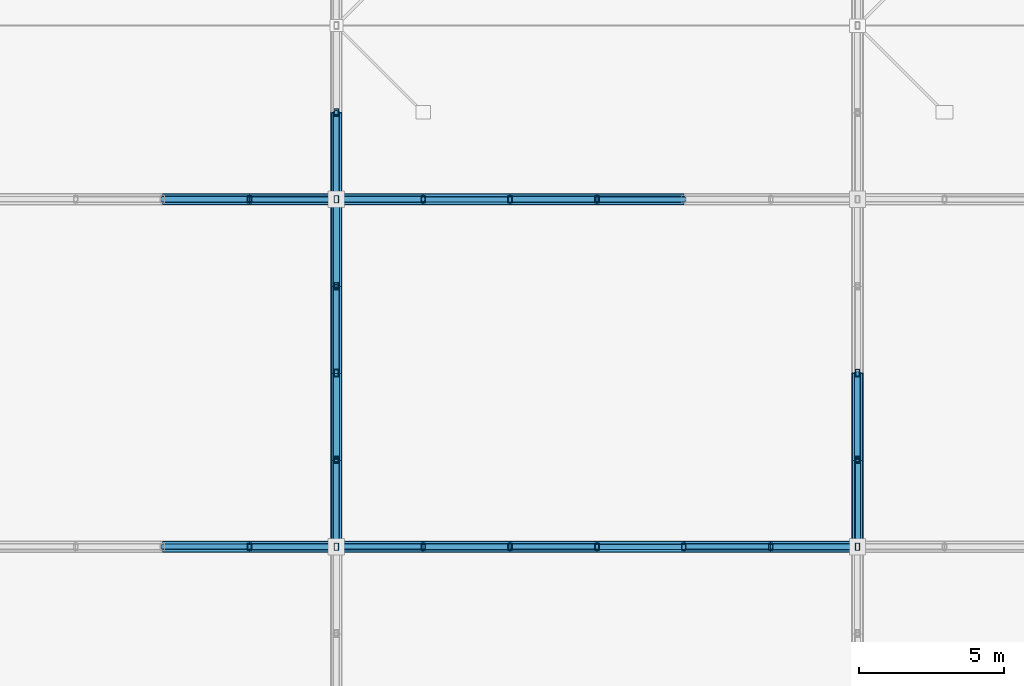
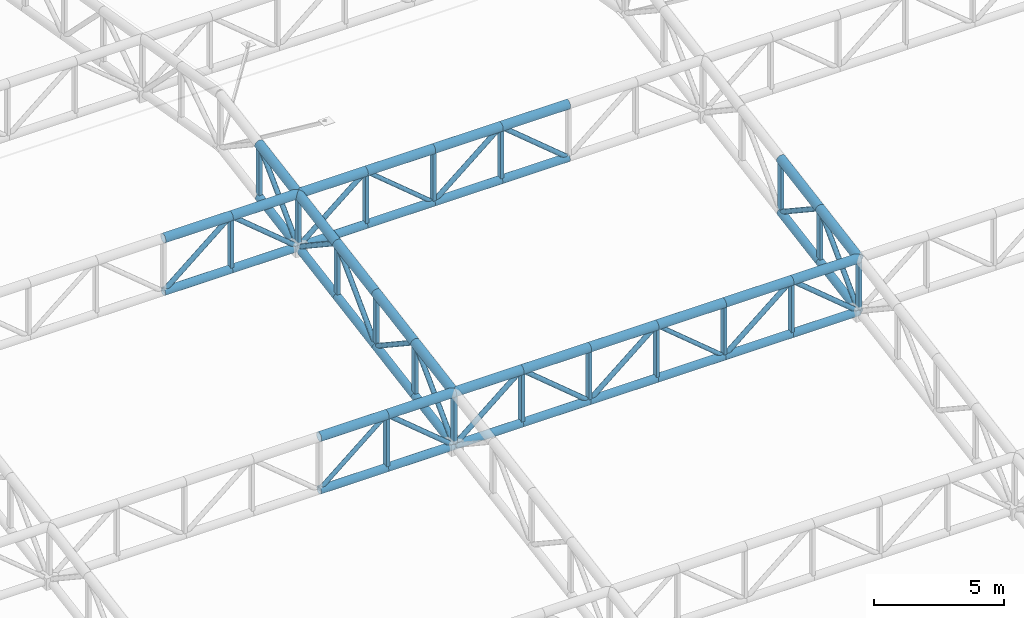
# One storey, part 91 of 239: 82 members.
"""IFC4 building model written with IfcOpenShell, lengths in metres."""

from ifc_helpers import new_model, si_unit, direction, frame, origin, origin_2d, place, context, subcontext, project, spatial, hollow_rectangle, hollow_circle, extrude, material, material_profile, profile_set, type_object, element, save


model = new_model("IFC4")

# Units and contexts
model_context = context("Model", 3, precision=1e-05, world=origin(), true_north=direction((0.0, 1.0)))
body_context = subcontext(model_context, "Body", "Model", "MODEL_VIEW")
ifc_project = project(units=[si_unit("LENGTHUNIT", "METRE"), si_unit("AREAUNIT", "SQUARE_METRE"), si_unit("VOLUMEUNIT", "CUBIC_METRE"), si_unit("PLANEANGLEUNIT", "RADIAN"), si_unit("MASSUNIT", "GRAM", prefix="KILO")], contexts=[model_context])

# Site, building, storey
site_placement = place(None, origin())
site = spatial("IfcSite", under=ifc_project, at=site_placement, CompositionType="ELEMENT")
building_placement = place(site_placement, origin())
building = spatial("IfcBuilding", under=site, at=building_placement, Name="Kaldris Quays Convention Centre", CompositionType="ELEMENT")
storey_placement = place(building_placement, frame((0.0, 0.0, 11.39990234375)))
storey = spatial("IfcBuildingStorey", under=building, at=storey_placement, Name="L02", CompositionType="ELEMENT", Elevation=11.39990234375)

# Members
ifc_material = material(Name="Steel S355J2H", Category="steel")
ifc_material_profile_1 = material_profile(ifc_material, hollow_circle(Radius=0.203125, WallThickness=0.01611328125, at=origin_2d()), Name="CHS 406.4x16")
ifc_profile_set_1 = profile_set([ifc_material_profile_1], Name="Steel S355J2H")
member_type_1 = type_object("IfcMemberType", Name="STRUCTURAL MEMBER SC01", PredefinedType="CHORD", material=ifc_profile_set_1)
for number, where, z_axis, x_axis, name in (
    (1, (50.0, 80.0, 13.7861328125), (1.0, 0.0, 0.0), (0.0, 1.0, 0.0), "SF-V1 Top Chord X 95"),
    (2, (53.0, 80.0, 13.7861328125), (1.0, 0.0, 0.0), (0.0, 1.0, 0.0), "SF-V1 Top Chord X 96"),
    (3, (56.0, 80.0, 13.7861328125), (1.0, 0.0, 0.0), (0.0, 1.0, 0.0), "SF-V1 Top Chord X 97"),
    (4, (59.0, 80.0, 13.7861328125), (1.0, 0.0, 0.0), (0.0, 1.0, 0.0), "SF-V1 Top Chord X 98"),
    (5, (62.0, 80.0, 13.7861328125), (1.0, 0.0, 0.0), (0.0, 1.0, 0.0), "SF-V1 Top Chord X 99"),
    (6, (65.0, 80.0, 13.7861328125), (1.0, 0.0, 0.0), (0.0, 1.0, 0.0), "SF-V1 Top Chord X 100"),
    (7, (68.0, 80.0, 13.7861328125), (1.0, 0.0, 0.0), (0.0, 1.0, 0.0), "SF-V1 Top Chord X 101"),
    (8, (71.0, 80.0, 13.7861328125), (1.0, 0.0, 0.0), (0.0, 1.0, 0.0), "SF-V1 Top Chord X 102"),
    (9, (50.0, 92.0, 15.84326171875), (1.0, 0.0, 0.0), (0.0, 1.0, 0.0), "SF-V1 Top Chord X 137"),
    (10, (53.0, 92.0, 15.84326171875), (1.0, 0.0, 0.0), (0.0, 1.0, 0.0), "SF-V1 Top Chord X 138"),
    (11, (56.0, 92.0, 15.84326171875), (1.0, 0.0, 0.0), (0.0, 1.0, 0.0), "SF-V1 Top Chord X 139"),
    (12, (59.0, 92.0, 15.84326171875), (1.0, 0.0, 0.0), (0.0, 1.0, 0.0), "SF-V1 Top Chord X 140"),
    (13, (62.0, 92.0, 15.84326171875), (1.0, 0.0, 0.0), (0.0, 1.0, 0.0), "SF-V1 Top Chord X 141"),
    (14, (65.0, 92.0, 15.84326171875), (1.0, 0.0, 0.0), (0.0, 1.0, 0.0), "SF-V1 Top Chord X 142"),
):
    element("IfcMember", number, at=place(storey_placement, frame(where, z_axis=z_axis, x_axis=x_axis)), inside=storey, type_object=member_type_1, Name=name, PredefinedType="CHORD", context=body_context, shape_type="SweptSolid", body=[
        extrude(hollow_circle(Radius=0.203125, WallThickness=0.01611328125, at=origin_2d()), origin(), (0.0, 0.0, 1.0), 3.0),
    ])
for number, where, z_axis, x_axis, name in (
    (15, (56.0, 80.0, 13.7861328125), (0.0, 0.985615766076, 0.169001661712), (-1.0, 0.0, 0.0), "SF-V1 Top Chord Y 401"),
    (16, (56.0, 83.0, 14.300537109375), (0.0, 0.98562912375, 0.168923741424), (-1.0, 0.0, 0.0), "SF-V1 Top Chord Y 402"),
    (17, (56.0, 86.0, 14.814697265625), (0.0, 0.985615766076, 0.169001661712), (-1.0, 0.0, 0.0), "SF-V1 Top Chord Y 403"),
    (18, (56.0, 89.0, 15.3291015625), (0.0, 0.98562912375, 0.168923741424), (-1.0, 0.0, 0.0), "SF-V1 Top Chord Y 404"),
    (19, (56.0, 92.0, 15.84326171875), (0.0, 0.985615766076, 0.169001661712), (-1.0, 0.0, 0.0), "SF-V1 Top Chord Y 405"),
    (20, (74.0, 80.0, 13.7861328125), (0.0, 0.985615766076, 0.169001661712), (-1.0, 0.0, 0.0), "SF-V1 Top Chord Y 429"),
    (21, (74.0, 83.0, 14.300537109375), (0.0, 0.98562912375, 0.168923741424), (-1.0, 0.0, 0.0), "SF-V1 Top Chord Y 430"),
):
    element("IfcMember", number, at=place(storey_placement, frame(where, z_axis=z_axis, x_axis=x_axis)), inside=storey, type_object=member_type_1, Name=name, PredefinedType="CHORD", context=body_context, shape_type="SweptSolid", body=[
        extrude(hollow_circle(Radius=0.203125, WallThickness=0.01611328125, at=origin_2d()), origin(), (0.0, 0.0, 1.0), 3.043701171875),
    ])
ifc_material_profile_2 = material_profile(ifc_material, hollow_circle(Radius=0.177734375, WallThickness=0.01611328125, at=origin_2d()), Name="CHS 355.6x16")
ifc_profile_set_2 = profile_set([ifc_material_profile_2], Name="Steel S355J2H")
member_type_2 = type_object("IfcMemberType", Name="STRUCTURAL MEMBER SC02", PredefinedType="CHORD", material=ifc_profile_set_2)
for number, where, z_axis, x_axis, name in (
    (22, (50.0, 80.0, 11.2861328125), (1.0, 0.0, 0.0), (0.0, 1.0, 0.0), "SF-V1 Bottom Chord X 95"),
    (23, (53.0, 80.0, 11.2861328125), (1.0, 0.0, 0.0), (0.0, 1.0, 0.0), "SF-V1 Bottom Chord X 96"),
    (24, (56.0, 80.0, 11.2861328125), (1.0, 0.0, 0.0), (0.0, 1.0, 0.0), "SF-V1 Bottom Chord X 97"),
    (25, (59.0, 80.0, 11.2861328125), (1.0, 0.0, 0.0), (0.0, 1.0, 0.0), "SF-V1 Bottom Chord X 98"),
    (26, (62.0, 80.0, 11.2861328125), (1.0, 0.0, 0.0), (0.0, 1.0, 0.0), "SF-V1 Bottom Chord X 99"),
    (27, (65.0, 80.0, 11.2861328125), (1.0, 0.0, 0.0), (0.0, 1.0, 0.0), "SF-V1 Bottom Chord X 100"),
    (28, (68.0, 80.0, 11.2861328125), (1.0, 0.0, 0.0), (0.0, 1.0, 0.0), "SF-V1 Bottom Chord X 101"),
    (29, (71.0, 80.0, 11.2861328125), (1.0, 0.0, 0.0), (0.0, 1.0, 0.0), "SF-V1 Bottom Chord X 102"),
    (30, (50.0, 92.0, 13.34326171875), (1.0, 0.0, 0.0), (0.0, 1.0, 0.0), "SF-V1 Bottom Chord X 137"),
    (31, (53.0, 92.0, 13.34326171875), (1.0, 0.0, 0.0), (0.0, 1.0, 0.0), "SF-V1 Bottom Chord X 138"),
    (32, (56.0, 92.0, 13.34326171875), (1.0, 0.0, 0.0), (0.0, 1.0, 0.0), "SF-V1 Bottom Chord X 139"),
    (33, (59.0, 92.0, 13.34326171875), (1.0, 0.0, 0.0), (0.0, 1.0, 0.0), "SF-V1 Bottom Chord X 140"),
    (34, (62.0, 92.0, 13.34326171875), (1.0, 0.0, 0.0), (0.0, 1.0, 0.0), "SF-V1 Bottom Chord X 141"),
    (35, (65.0, 92.0, 13.34326171875), (1.0, 0.0, 0.0), (0.0, 1.0, 0.0), "SF-V1 Bottom Chord X 142"),
):
    element("IfcMember", number, at=place(storey_placement, frame(where, z_axis=z_axis, x_axis=x_axis)), inside=storey, type_object=member_type_2, Name=name, PredefinedType="CHORD", context=body_context, shape_type="SweptSolid", body=[
        extrude(hollow_circle(Radius=0.177734375, WallThickness=0.01611328125, at=origin_2d()), origin(), (0.0, 0.0, 1.0), 3.0),
    ])
for number, where, z_axis, x_axis, name in (
    (36, (56.0, 80.0, 11.2861328125), (0.0, 0.985615766076, 0.169001661712), (-1.0, 0.0, 0.0), "SF-V1 Bottom Chord Y 401"),
    (37, (56.0, 83.0, 11.800537109375), (0.0, 0.98562912375, 0.168923741424), (-1.0, 0.0, 0.0), "SF-V1 Bottom Chord Y 402"),
    (38, (56.0, 86.0, 12.314697265625), (0.0, 0.985615766076, 0.169001661712), (-1.0, 0.0, 0.0), "SF-V1 Bottom Chord Y 403"),
    (39, (56.0, 89.0, 12.8291015625), (0.0, 0.98562912375, 0.168923741424), (-1.0, 0.0, 0.0), "SF-V1 Bottom Chord Y 404"),
    (40, (56.0, 92.0, 13.34326171875), (0.0, 0.985615766076, 0.169001661712), (-1.0, 0.0, 0.0), "SF-V1 Bottom Chord Y 405"),
    (41, (74.0, 80.0, 11.2861328125), (0.0, 0.985615766076, 0.169001661712), (-1.0, 0.0, 0.0), "SF-V1 Bottom Chord Y 429"),
    (42, (74.0, 83.0, 11.800537109375), (0.0, 0.98562912375, 0.168923741424), (-1.0, 0.0, 0.0), "SF-V1 Bottom Chord Y 430"),
):
    element("IfcMember", number, at=place(storey_placement, frame(where, z_axis=z_axis, x_axis=x_axis)), inside=storey, type_object=member_type_2, Name=name, PredefinedType="CHORD", context=body_context, shape_type="SweptSolid", body=[
        extrude(hollow_circle(Radius=0.177734375, WallThickness=0.01611328125, at=origin_2d()), origin(), (0.0, 0.0, 1.0), 3.043701171875),
    ])
ifc_material_profile_3 = material_profile(ifc_material, hollow_circle(Radius=0.109619140625, WallThickness=0.010009765625, at=origin_2d()), Name="CHS 219.1x10")
ifc_profile_set_3 = profile_set([ifc_material_profile_3], Name="Steel S355J2H")
member_type_3 = type_object("IfcMemberType", Name="STRUCTURAL MEMBER SWB1", PredefinedType="BRACE", material=ifc_profile_set_3)
for number, where, z_axis, x_axis, name in (
    (43, (56.0, 80.0, 11.2861328125), (-0.768221279597, 0.0, 0.640184399664), (0.0, -1.0, 0.0), "SF-V1 Web Diagonal X 96"),
    (44, (56.0, 80.0, 11.2861328125), (0.768221279597, 0.0, 0.640184399664), (0.0, 1.0, 0.0), "SF-V1 Web Diagonal X 97"),
    (45, (62.0, 80.0, 11.2861328125), (-0.768221279597, 0.0, 0.640184399664), (0.0, -1.0, 0.0), "SF-V1 Web Diagonal X 98"),
    (46, (62.0, 80.0, 11.2861328125), (0.768221279597, 0.0, 0.640184399664), (0.0, 1.0, 0.0), "SF-V1 Web Diagonal X 99"),
    (47, (68.0, 80.0, 11.2861328125), (0.768221279597, 0.0, 0.640184399664), (0.0, 1.0, 0.0), "SF-V1 Web Diagonal X 101"),
    (48, (74.0, 80.0, 11.2861328125), (-0.768221279597, 0.0, 0.640184399664), (0.0, -1.0, 0.0), "SF-V1 Web Diagonal X 102"),
    (49, (50.0, 92.0, 13.34326171875), (0.768221279597, 0.0, 0.640184399664), (0.0, 1.0, 0.0), "SF-V1 Web Diagonal X 137"),
    (50, (56.0, 92.0, 13.34326171875), (-0.768221279597, 0.0, 0.640184399664), (0.0, -1.0, 0.0), "SF-V1 Web Diagonal X 138"),
    (51, (56.0, 92.0, 13.34326171875), (0.768221279597, 0.0, 0.640184399664), (0.0, 1.0, 0.0), "SF-V1 Web Diagonal X 139"),
    (52, (62.0, 92.0, 13.34326171875), (0.768221279597, 0.0, 0.640184399664), (0.0, 1.0, 0.0), "SF-V1 Web Diagonal X 141"),
    (53, (68.0, 92.0, 13.34326171875), (-0.768221279597, 0.0, 0.640184399664), (0.0, -1.0, 0.0), "SF-V1 Web Diagonal X 142"),
):
    element("IfcMember", number, at=place(storey_placement, frame(where, z_axis=z_axis, x_axis=x_axis)), inside=storey, type_object=member_type_3, Name=name, PredefinedType="BRACE", context=body_context, shape_type="SweptSolid", body=[
        extrude(hollow_circle(Radius=0.109619140625, WallThickness=0.010009765625, at=origin_2d()), origin(), (0.0, 0.0, 1.0), 3.905029296875),
    ])
member_1_placement = place(storey_placement, frame((56.0, 80.0, 11.2861328125), z_axis=(0.0, 0.705411261057, 0.708798245465), x_axis=(-1.0, 0.0, 0.0)))
element("IfcMember", 54, at=member_1_placement, inside=storey, type_object=member_type_3, Name="SF-V1 Web Diagonal Y 401", PredefinedType="BRACE", context=body_context, shape_type="SweptSolid", body=[
    extrude(hollow_circle(Radius=0.109619140625, WallThickness=0.010009765625, at=origin_2d()), origin(), (0.0, 0.0, 1.0), 4.2529296875),
])
member_2_placement = place(storey_placement, frame((56.0, 86.0, 12.314697265625), z_axis=(0.0, -0.833862389808, 0.551972385962), x_axis=(1.0, 0.0, 0.0)))
element("IfcMember", 55, at=member_2_placement, inside=storey, type_object=member_type_3, Name="SF-V1 Web Diagonal Y 402", PredefinedType="BRACE", context=body_context, shape_type="SweptSolid", body=[
    extrude(hollow_circle(Radius=0.109619140625, WallThickness=0.010009765625, at=origin_2d()), origin(), (0.0, 0.0, 1.0), 3.59765625),
])
member_3_placement = place(storey_placement, frame((56.0, 86.0, 12.314697265625), z_axis=(0.0, 0.705411261057, 0.708798245465), x_axis=(-1.0, 0.0, 0.0)))
element("IfcMember", 56, at=member_3_placement, inside=storey, type_object=member_type_3, Name="SF-V1 Web Diagonal Y 403", PredefinedType="BRACE", context=body_context, shape_type="SweptSolid", body=[
    extrude(hollow_circle(Radius=0.109619140625, WallThickness=0.010009765625, at=origin_2d()), origin(), (0.0, 0.0, 1.0), 4.2529296875),
])
member_4_placement = place(storey_placement, frame((56.0, 92.0, 13.34326171875), z_axis=(0.0, -0.833862389808, 0.551972385962), x_axis=(1.0, 0.0, 0.0)))
element("IfcMember", 57, at=member_4_placement, inside=storey, type_object=member_type_3, Name="SF-V1 Web Diagonal Y 404", PredefinedType="BRACE", context=body_context, shape_type="SweptSolid", body=[
    extrude(hollow_circle(Radius=0.109619140625, WallThickness=0.010009765625, at=origin_2d()), origin(), (0.0, 0.0, 1.0), 3.59765625),
])
for number, where, z_axis, x_axis, name in (
    (58, (56.0, 92.0, 13.34326171875), (0.0, 0.705411261057, 0.708798245465), (-1.0, 0.0, 0.0), "SF-V1 Web Diagonal Y 405"),
    (59, (74.0, 80.0, 11.2861328125), (0.0, 0.705411261057, 0.708798245465), (-1.0, 0.0, 0.0), "SF-V1 Web Diagonal Y 429"),
):
    element("IfcMember", number, at=place(storey_placement, frame(where, z_axis=z_axis, x_axis=x_axis)), inside=storey, type_object=member_type_3, Name=name, PredefinedType="BRACE", context=body_context, shape_type="SweptSolid", body=[
        extrude(hollow_circle(Radius=0.109619140625, WallThickness=0.010009765625, at=origin_2d()), origin(), (0.0, 0.0, 1.0), 4.2529296875),
    ])
member_5_placement = place(storey_placement, frame((74.0, 86.0, 12.314697265625), z_axis=(0.0, -0.833862389808, 0.551972385962), x_axis=(1.0, 0.0, 0.0)))
element("IfcMember", 60, at=member_5_placement, inside=storey, type_object=member_type_3, Name="SF-V1 Web Diagonal Y 430", PredefinedType="BRACE", context=body_context, shape_type="SweptSolid", body=[
    extrude(hollow_circle(Radius=0.109619140625, WallThickness=0.010009765625, at=origin_2d()), origin(), (0.0, 0.0, 1.0), 3.59765625),
])
ifc_material_profile_4 = material_profile(ifc_material, hollow_circle(Radius=0.096923828125, WallThickness=0.008056640625, at=origin_2d()), Name="CHS 193.7x8")
ifc_profile_set_4 = profile_set([ifc_material_profile_4], Name="Steel S355J2H")
member_type_4 = type_object("IfcMemberType", Name="STRUCTURAL MEMBER SWB3", PredefinedType="BRACE", material=ifc_profile_set_4)
for number, where, z_axis, x_axis, name in (
    (61, (50.0, 80.0, 11.2861328125), (0.768221279597, 0.0, 0.640184399664), (0.0, 1.0, 0.0), "SF-V1 Web Diagonal X 95"),
    (62, (68.0, 80.0, 11.2861328125), (-0.768221279597, 0.0, 0.640184399664), (0.0, -1.0, 0.0), "SF-V1 Web Diagonal X 100"),
    (63, (62.0, 92.0, 13.34326171875), (-0.768221279597, 0.0, 0.640184399664), (0.0, -1.0, 0.0), "SF-V1 Web Diagonal X 140"),
):
    element("IfcMember", number, at=place(storey_placement, frame(where, z_axis=z_axis, x_axis=x_axis)), inside=storey, type_object=member_type_4, Name=name, PredefinedType="BRACE", context=body_context, shape_type="SweptSolid", body=[
        extrude(hollow_circle(Radius=0.096923828125, WallThickness=0.008056640625, at=origin_2d()), origin(), (0.0, 0.0, 1.0), 3.905029296875),
    ])
ifc_material_profile_5 = material_profile(ifc_material, hollow_rectangle(XDim=0.14990234375, YDim=0.25, WallThickness=0.010009765625, at=origin_2d()), Name="RHS 250x150x10")
ifc_profile_set_5 = profile_set([ifc_material_profile_5], Name="Steel S355J2H")
member_type_5 = type_object("IfcMemberType", Name="STRUCTURAL MEMBER TTV1", PredefinedType="POST", material=ifc_profile_set_5)
for number, where, z_axis, x_axis, name in (
    (64, (53.0, 80.0, 11.2861328125), (0.0, 0.0, 1.0), (1.0, 0.0, 0.0), "SF-V1 Space-Frame Post 133"),
    (65, (53.0, 92.0, 13.34326171875), (0.0, 0.0, 1.0), (1.0, 0.0, 0.0), "SF-V1 Space-Frame Post 134"),
    (66, (56.0, 80.0, 11.2861328125), (0.0, 0.0, 1.0), (1.0, 0.0, 0.0), "SF-V1 Space-Frame Post 147"),
    (67, (56.0, 83.0, 11.800537109375), (0.0, 0.0, 1.0), (1.0, 0.0, 0.0), "SF-V1 Space-Frame Post 148"),
    (68, (56.0, 86.0, 12.314697265625), (0.0, 0.0, 1.0), (1.0, 0.0, 0.0), "SF-V1 Space-Frame Post 149"),
    (69, (56.0, 89.0, 12.8291015625), (0.0, 0.0, 1.0), (1.0, 0.0, 0.0), "SF-V1 Space-Frame Post 150"),
    (70, (56.0, 92.0, 13.34326171875), (0.0, 0.0, 1.0), (1.0, 0.0, 0.0), "SF-V1 Space-Frame Post 151"),
    (71, (56.0, 95.0, 13.857666015625), (0.0, 0.0, 1.0), (1.0, 0.0, 0.0), "SF-V1 Space-Frame Post 152"),
    (72, (59.0, 80.0, 11.2861328125), (0.0, 0.0, 1.0), (1.0, 0.0, 0.0), "SF-V1 Space-Frame Post 170"),
    (73, (59.0, 92.0, 13.34326171875), (0.0, 0.0, 1.0), (1.0, 0.0, 0.0), "SF-V1 Space-Frame Post 171"),
    (74, (62.0, 80.0, 11.2861328125), (0.0, 0.0, 1.0), (1.0, 0.0, 0.0), "SF-V1 Space-Frame Post 178"),
    (75, (62.0, 92.0, 13.34326171875), (0.0, 0.0, 1.0), (1.0, 0.0, 0.0), "SF-V1 Space-Frame Post 179"),
    (76, (65.0, 80.0, 11.2861328125), (0.0, 0.0, 1.0), (1.0, 0.0, 0.0), "SF-V1 Space-Frame Post 186"),
    (77, (65.0, 92.0, 13.34326171875), (0.0, 0.0, 1.0), (1.0, 0.0, 0.0), "SF-V1 Space-Frame Post 187"),
    (78, (68.0, 80.0, 11.2861328125), (0.0, 0.0, 1.0), (1.0, 0.0, 0.0), "SF-V1 Space-Frame Post 194"),
    (79, (71.0, 80.0, 11.2861328125), (0.0, 0.0, 1.0), (1.0, 0.0, 0.0), "SF-V1 Space-Frame Post 202"),
    (80, (74.0, 80.0, 11.2861328125), (0.0, 0.0, 1.0), (1.0, 0.0, 0.0), "SF-V1 Space-Frame Post 216"),
    (81, (74.0, 83.0, 11.800537109375), (0.0, 0.0, 1.0), (1.0, 0.0, 0.0), "SF-V1 Space-Frame Post 217"),
    (82, (74.0, 86.0, 12.314697265625), (0.0, 0.0, 1.0), (1.0, 0.0, 0.0), "SF-V1 Space-Frame Post 218"),
):
    element("IfcMember", number, at=place(storey_placement, frame(where, z_axis=z_axis, x_axis=x_axis)), inside=storey, type_object=member_type_5, Name=name, PredefinedType="POST", context=body_context, shape_type="SweptSolid", body=[
        extrude(hollow_rectangle(XDim=0.14990234375, YDim=0.25, WallThickness=0.010009765625, at=origin_2d()), origin(), (0.0, 0.0, 1.0), 2.5),
    ])

save(model, "model.ifc")
